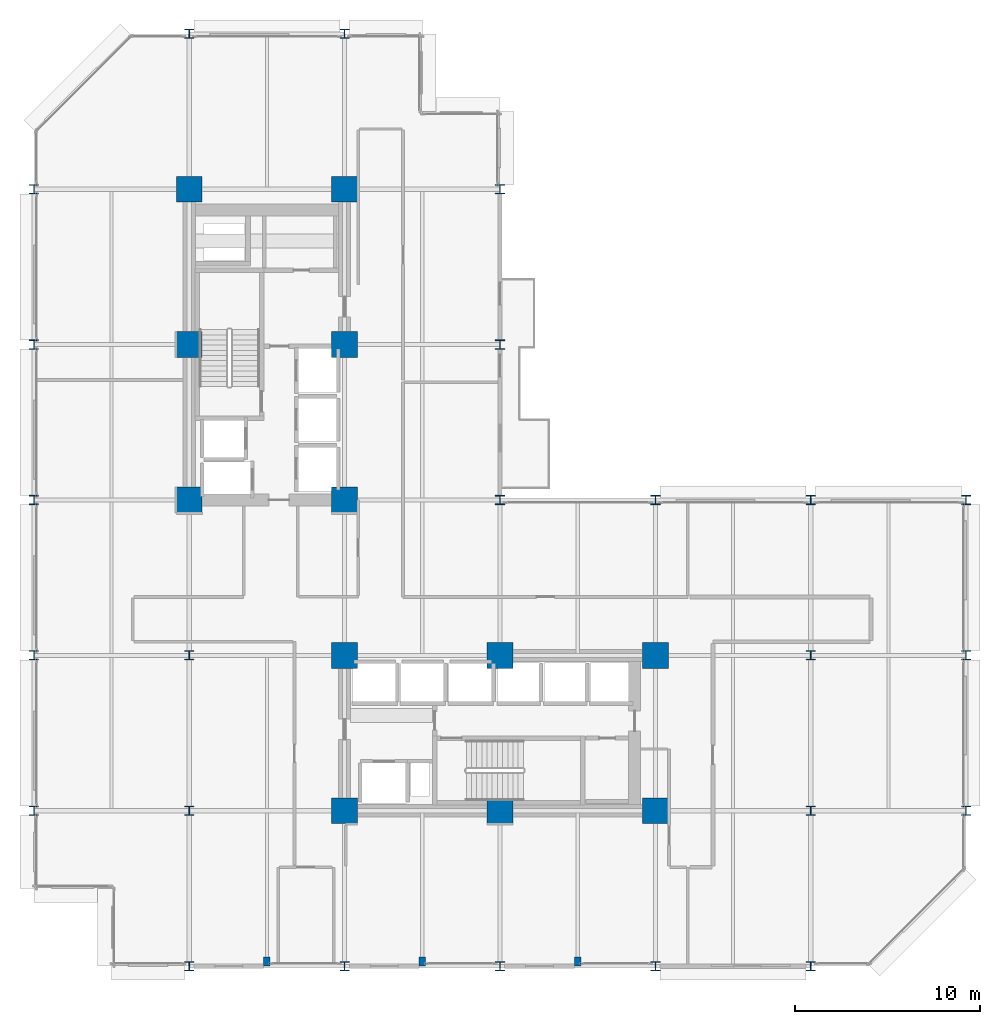
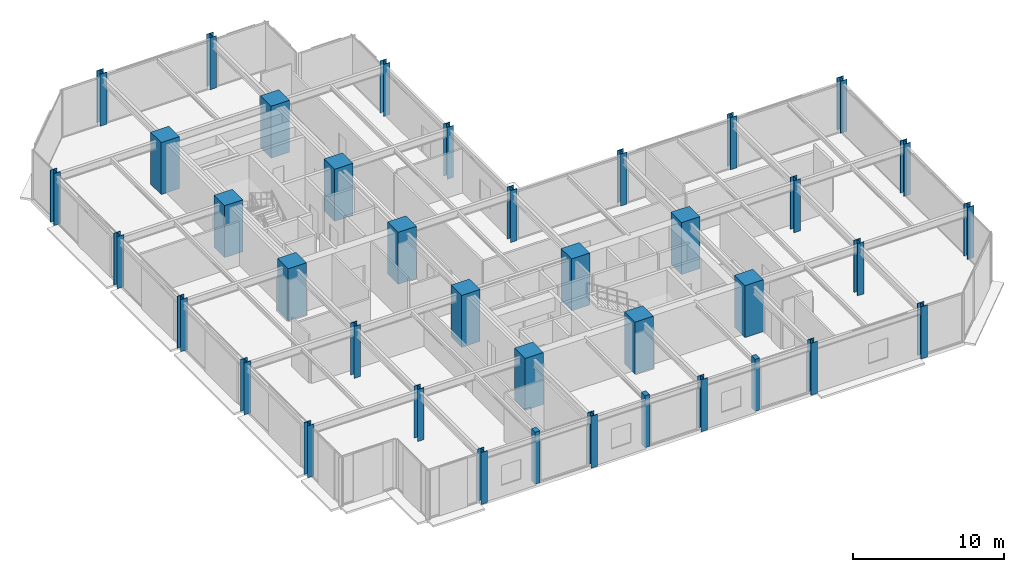
# One storey, part 1 of 25: 39 columns.
"""IFC4 building model written with IfcOpenShell, lengths in metres."""

from ifc_helpers import new_model, si_unit, direction, frame, origin, origin_2d, place, context, subcontext, project, spatial, rectangle, i_section, extrude, material, material_profile, profile_set, type_object, element, save


model = new_model("IFC4")

# Units and contexts
model_context = context("Model", 3, precision=1e-05, world=origin(), true_north=direction((0.0, 1.0)))
body_context = subcontext(model_context, "Body", "Model", "MODEL_VIEW")
ifc_project = project(units=[si_unit("LENGTHUNIT", "METRE"), si_unit("AREAUNIT", "SQUARE_METRE"), si_unit("VOLUMEUNIT", "CUBIC_METRE"), si_unit("PLANEANGLEUNIT", "RADIAN"), si_unit("MASSUNIT", "GRAM", prefix="KILO")], contexts=[model_context])

# Site, building, storey
site_placement = place(None, origin())
site = spatial("IfcSite", under=ifc_project, at=site_placement, CompositionType="ELEMENT")
building_placement = place(site_placement, origin())
building = spatial("IfcBuilding", under=site, at=building_placement, Name="Nerrivon Quay Data Exchange", CompositionType="ELEMENT")
storey_placement = place(building_placement, frame((0.0, 0.0, 29.0)))
storey = spatial("IfcBuildingStorey", under=building, at=storey_placement, Name="L06", CompositionType="ELEMENT", Elevation=29.0)

# Columns
ifc_material_1 = material(Name="Concrete N80 (80 MPa)", Category="concrete")
ifc_material_profile_1 = material_profile(ifc_material_1, rectangle(XDim=1.39990234375, YDim=1.39990234375, at=origin_2d()), Name="RC-COL-1400x1400")
ifc_profile_set_1 = profile_set([ifc_material_profile_1], Name="Concrete N80 (80 MPa)")
column_type_1 = type_object("IfcColumnType", Name="COL-C2-1400", PredefinedType="COLUMN", material=ifc_profile_set_1)
for number, where, z_axis, x_axis, name in (
    (1, (8.39990234375, 25.199951171875, 0.0), (0.0, 0.0, 1.0), (1.0, 0.0, 0.0), "L06 Column (8.4,25.2)"),
    (2, (8.39990234375, 33.60009765625, 0.0), (0.0, 0.0, 1.0), (1.0, 0.0, 0.0), "L06 Column (8.4,33.6)"),
    (3, (8.39990234375, 42.0, 0.0), (0.0, 0.0, 1.0), (1.0, 0.0, 0.0), "L06 Column (8.4,42.0)"),
    (4, (16.800048828125, 8.39990234375, 0.0), (0.0, 0.0, 1.0), (1.0, 0.0, 0.0), "L06 Column (16.8,8.4)"),
    (5, (16.800048828125, 16.800048828125, 0.0), (0.0, 0.0, 1.0), (1.0, 0.0, 0.0), "L06 Column (16.8,16.8)"),
    (6, (16.800048828125, 25.199951171875, 0.0), (0.0, 0.0, 1.0), (1.0, 0.0, 0.0), "L06 Column (16.8,25.2)"),
    (7, (16.800048828125, 33.60009765625, 0.0), (0.0, 0.0, 1.0), (1.0, 0.0, 0.0), "L06 Column (16.8,33.6)"),
    (8, (16.800048828125, 42.0, 0.0), (0.0, 0.0, 1.0), (1.0, 0.0, 0.0), "L06 Column (16.8,42.0)"),
    (9, (25.199951171875, 8.39990234375, 0.0), (0.0, 0.0, 1.0), (1.0, 0.0, 0.0), "L06 Column (25.2,8.4)"),
    (10, (25.199951171875, 16.800048828125, 0.0), (0.0, 0.0, 1.0), (1.0, 0.0, 0.0), "L06 Column (25.2,16.8)"),
    (11, (33.60009765625, 8.39990234375, 0.0), (0.0, 0.0, 1.0), (1.0, 0.0, 0.0), "L06 Column (33.6,8.4)"),
    (12, (33.60009765625, 16.800048828125, 0.0), (0.0, 0.0, 1.0), (1.0, 0.0, 0.0), "L06 Column (33.6,16.8)"),
):
    element("IfcColumn", number, at=place(storey_placement, frame(where, z_axis=z_axis, x_axis=x_axis)), inside=storey, type_object=column_type_1, Name=name, PredefinedType="COLUMN", context=body_context, shape_type="SweptSolid", body=[
        extrude(rectangle(XDim=1.39990234375, YDim=1.39990234375, at=origin_2d()), origin(), (0.0, 0.0, 1.0), 4.199951171875),
    ])
ifc_material_2 = material(Name="Steel Grade 350", Category="steel")
ifc_material_profile_2 = material_profile(ifc_material_2, i_section(OverallWidth=0.5, OverallDepth=0.5, WebThickness=0.028076171875, FlangeThickness=0.0400390625, at=origin_2d()), Name="500WC440")
ifc_profile_set_2 = profile_set([ifc_material_profile_2], Name="Steel Grade 350")
column_type_2 = type_object("IfcColumnType", Name="COL-SC1-500WC", PredefinedType="COLUMN", material=ifc_profile_set_2)
for number, where, z_axis, x_axis, name in (
    (13, (0.0, 8.39990234375, 0.0), (0.0, 0.0, 1.0), (1.0, 0.0, 0.0), "L06 Column (0.0,8.4)"),
    (14, (0.0, 16.800048828125, 0.0), (0.0, 0.0, 1.0), (1.0, 0.0, 0.0), "L06 Column (0.0,16.8)"),
    (15, (0.0, 25.199951171875, 0.0), (0.0, 0.0, 1.0), (1.0, 0.0, 0.0), "L06 Column (0.0,25.2)"),
    (16, (0.0, 33.60009765625, 0.0), (0.0, 0.0, 1.0), (1.0, 0.0, 0.0), "L06 Column (0.0,33.6)"),
    (17, (0.0, 42.0, 0.0), (0.0, 0.0, 1.0), (1.0, 0.0, 0.0), "L06 Column (0.0,42.0)"),
    (18, (8.39990234375, 0.0, 0.0), (0.0, 0.0, 1.0), (1.0, 0.0, 0.0), "L06 Column (8.4,0.0)"),
    (19, (8.39990234375, 8.39990234375, 0.0), (0.0, 0.0, 1.0), (1.0, 0.0, 0.0), "L06 Column (8.4,8.4)"),
    (20, (8.39990234375, 16.800048828125, 0.0), (0.0, 0.0, 1.0), (1.0, 0.0, 0.0), "L06 Column (8.4,16.8)"),
    (21, (8.39990234375, 50.39990234375, 0.0), (0.0, 0.0, 1.0), (1.0, 0.0, 0.0), "L06 Column (8.4,50.4)"),
    (22, (16.800048828125, 0.0, 0.0), (0.0, 0.0, 1.0), (1.0, 0.0, 0.0), "L06 Column (16.8,0.0)"),
    (23, (16.800048828125, 50.39990234375, 0.0), (0.0, 0.0, 1.0), (1.0, 0.0, 0.0), "L06 Column (16.8,50.4)"),
    (24, (25.199951171875, 0.0, 0.0), (0.0, 0.0, 1.0), (1.0, 0.0, 0.0), "L06 Column (25.2,0.0)"),
    (25, (25.199951171875, 25.199951171875, 0.0), (0.0, 0.0, 1.0), (1.0, 0.0, 0.0), "L06 Column (25.2,25.2)"),
    (26, (25.199951171875, 33.60009765625, 0.0), (0.0, 0.0, 1.0), (1.0, 0.0, 0.0), "L06 Column (25.2,33.6)"),
    (27, (25.199951171875, 42.0, 0.0), (0.0, 0.0, 1.0), (1.0, 0.0, 0.0), "L06 Column (25.2,42.0)"),
    (28, (33.60009765625, 0.0, 0.0), (0.0, 0.0, 1.0), (1.0, 0.0, 0.0), "L06 Column (33.6,0.0)"),
    (29, (33.60009765625, 25.199951171875, 0.0), (0.0, 0.0, 1.0), (1.0, 0.0, 0.0), "L06 Column (33.6,25.2)"),
    (30, (42.0, 0.0, 0.0), (0.0, 0.0, 1.0), (1.0, 0.0, 0.0), "L06 Column (42.0,0.0)"),
    (31, (42.0, 8.39990234375, 0.0), (0.0, 0.0, 1.0), (1.0, 0.0, 0.0), "L06 Column (42.0,8.4)"),
    (32, (42.0, 16.800048828125, 0.0), (0.0, 0.0, 1.0), (1.0, 0.0, 0.0), "L06 Column (42.0,16.8)"),
    (33, (42.0, 25.199951171875, 0.0), (0.0, 0.0, 1.0), (1.0, 0.0, 0.0), "L06 Column (42.0,25.2)"),
    (34, (50.39990234375, 8.39990234375, 0.0), (0.0, 0.0, 1.0), (1.0, 0.0, 0.0), "L06 Column (50.4,8.4)"),
    (35, (50.39990234375, 16.800048828125, 0.0), (0.0, 0.0, 1.0), (1.0, 0.0, 0.0), "L06 Column (50.4,16.8)"),
    (36, (50.39990234375, 25.199951171875, 0.0), (0.0, 0.0, 1.0), (1.0, 0.0, 0.0), "L06 Column (50.4,25.2)"),
):
    element("IfcColumn", number, at=place(storey_placement, frame(where, z_axis=z_axis, x_axis=x_axis)), inside=storey, type_object=column_type_2, Name=name, PredefinedType="COLUMN", context=body_context, shape_type="SweptSolid", body=[
        extrude(i_section(OverallWidth=0.5, OverallDepth=0.5, WebThickness=0.028076171875, FlangeThickness=0.0400390625, at=origin_2d()), origin(), (0.0, 0.0, 1.0), 4.199951171875),
    ])
ifc_material_3 = material(Name="Concrete N50 (50 MPa)", Category="concrete")
ifc_material_profile_3 = material_profile(ifc_material_3, rectangle(XDim=0.35009765625, YDim=0.5, at=origin_2d()), Name="RC-PIL-500x350")
ifc_profile_set_3 = profile_set([ifc_material_profile_3], Name="Concrete N50 (50 MPa)")
column_type_3 = type_object("IfcColumnType", Name="PIL-P2-500x350", PredefinedType="PILASTER", material=ifc_profile_set_3)
for number, where, z_axis, x_axis, name in (
    (37, (12.60009765625, 0.25, 0.0), (0.0, 0.0, 1.0), (1.0, 0.0, 0.0), "L06 Facade Pilaster (12.6)"),
    (38, (21.0, 0.25, 0.0), (0.0, 0.0, 1.0), (1.0, 0.0, 0.0), "L06 Facade Pilaster (21.0)"),
    (39, (29.39990234375, 0.25, 0.0), (0.0, 0.0, 1.0), (1.0, 0.0, 0.0), "L06 Facade Pilaster (29.4)"),
):
    element("IfcColumn", number, at=place(storey_placement, frame(where, z_axis=z_axis, x_axis=x_axis)), inside=storey, type_object=column_type_3, Name=name, PredefinedType="PILASTER", context=body_context, shape_type="SweptSolid", body=[
        extrude(rectangle(XDim=0.35009765625, YDim=0.5, at=origin_2d()), origin(), (0.0, 0.0, 1.0), 4.199951171875),
    ])

save(model, "model.ifc")
